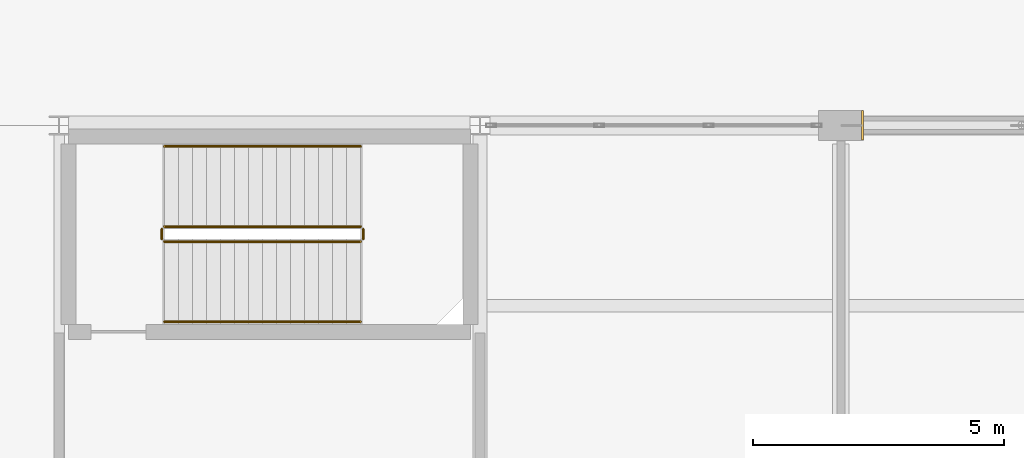
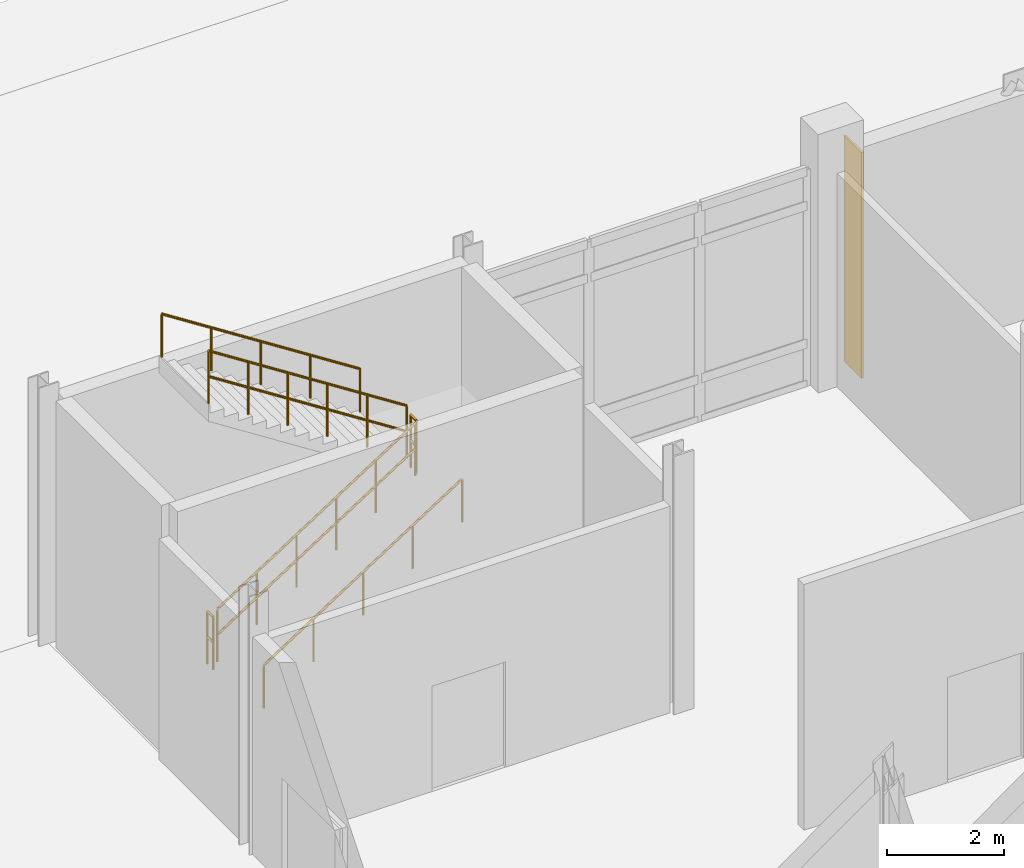
# One storey, part 222 of 229: 6 railings, 1 covering.
"""IFC4 building model written with IfcOpenShell, lengths in metres."""

from ifc_helpers import new_model, si_unit, direction, frame, origin, origin_2d, place, context, subcontext, project, spatial, polyline, circle, outline, extrude, material, layer, layer_set, type_object, element, save


model = new_model("IFC4")

# Units and contexts
model_context = context("Model", 3, precision=1e-05, world=origin(), true_north=direction((0.0, 1.0)))
body_context = subcontext(model_context, "Body", "Model", "MODEL_VIEW")
ifc_project = project(units=[si_unit("LENGTHUNIT", "METRE"), si_unit("AREAUNIT", "SQUARE_METRE"), si_unit("VOLUMEUNIT", "CUBIC_METRE"), si_unit("PLANEANGLEUNIT", "RADIAN"), si_unit("MASSUNIT", "GRAM", prefix="KILO")], contexts=[model_context])

# Site, building, storey
site_placement = place(None, origin())
site = spatial("IfcSite", under=ifc_project, at=site_placement, CompositionType="ELEMENT")
building_placement = place(site_placement, origin())
building = spatial("IfcBuilding", under=site, at=building_placement, Name="Calvrana Isthmian Art Gallery", CompositionType="ELEMENT")
storey_placement = place(building_placement, origin())
storey = spatial("IfcBuildingStorey", under=building, at=storey_placement, Name="L00", CompositionType="ELEMENT", Elevation=0.0)

# Covering
ifc_material_1 = material(Name="Polychrome glazed terracotta", Category="masonry")
ifc_layer = layer(ifc_material_1, 0.0400390625, Name="Polychrome glazed terracotta")
ifc_layer_set = layer_set([ifc_layer], Name="Polychrome glazed terracotta")
covering_type = type_object("IfcCoveringType", Name="COV-CLAD-TERRA", PredefinedType="CLADDING", material=ifc_layer_set)
covering_placement = place(storey_placement, origin())
element("IfcCovering", 1, at=covering_placement, inside=storey, type_object=covering_type, Name="Column pocket weather closure L00-15-13-W", PredefinedType="CLADDING", context=body_context, shape_type="SweptSolid", body=[
    extrude(outline(polyline([(120.409912109375, 98.10498046875), (120.449951171875, 98.10498046875), (120.449951171875, 98.695068359375), (120.409912109375, 98.695068359375), (120.409912109375, 98.10498046875)])), origin(), (0.0, 0.0, 1.0), 4.72412109375),
])

# Railings
ifc_material_2 = material(Name="Stainless steel 316", Category="steel")
railing_type_1 = type_object("IfcRailingType", Name="RL-GUARD-1120", PredefinedType="BALUSTRADE", material=ifc_material_2)
railing_1_placement = place(storey_placement, frame((106.5, 96.080078125, 0.179931640625)))
element("IfcRailing", 2, at=railing_1_placement, inside=storey, type_object=railing_type_1, Name="Stair ST-8 guard L00-1", PredefinedType="BALUSTRADE", context=body_context, shape_type="SweptSolid", body=[
    extrude(circle(Radius=0.02392578125, at=origin_2d()), frame((0.0, 0.0, 1.09619140625), z_axis=(0.841171666519, 0.0, 0.540768182723), x_axis=(0.0, 1.0, 0.0)), (0.0, 0.0, 1.0), 4.66015625),
    extrude(circle(Radius=0.02392578125, at=origin_2d()), frame((0.0, 0.0, 0.56005859375), z_axis=(0.841171666519, 0.0, 0.540768182723), x_axis=(0.0, 1.0, 0.0)), (0.0, 0.0, 1.0), 4.66015625),
    extrude(circle(Radius=0.02099609375, at=origin_2d()), origin(), (0.0, 0.0, 1.0), 1.072021484375),
    extrude(circle(Radius=0.02099609375, at=origin_2d()), frame((0.783935546875, 0.0, 0.50390625)), (0.0, 0.0, 1.0), 1.072021484375),
    extrude(circle(Radius=0.02099609375, at=origin_2d()), frame((1.56787109375, 0.0, 1.008056640625)), (0.0, 0.0, 1.0), 1.072021484375),
    extrude(circle(Radius=0.02099609375, at=origin_2d()), frame((2.35205078125, 0.0, 1.511962890625)), (0.0, 0.0, 1.0), 1.072021484375),
    extrude(circle(Radius=0.02099609375, at=origin_2d()), frame((3.135986328125, 0.0, 2.01611328125)), (0.0, 0.0, 1.0), 1.072021484375),
    extrude(circle(Radius=0.02099609375, at=origin_2d()), frame((3.919921875, 0.0, 2.52001953125)), (0.0, 0.0, 1.0), 1.072021484375),
])
railing_2_placement = place(storey_placement, frame((110.469970703125, 96.1298828125, 2.699951171875)))
element("IfcRailing", 3, at=railing_2_placement, inside=storey, type_object=railing_type_1, Name="Stair ST-8 guard L00-2", PredefinedType="BALUSTRADE", context=body_context, shape_type="SweptSolid", body=[
    extrude(circle(Radius=0.02392578125, at=origin_2d()), frame((0.0, 0.0, 1.09619140625), z_axis=(0.0, 1.0, 0.0), x_axis=(-1.0, 0.0, 0.0)), (0.0, 0.0, 1.0), 0.2001953125),
    extrude(circle(Radius=0.02392578125, at=origin_2d()), frame((0.0, 0.0, 0.56005859375), z_axis=(0.0, 1.0, 0.0), x_axis=(-1.0, 0.0, 0.0)), (0.0, 0.0, 1.0), 0.2001953125),
    extrude(circle(Radius=0.02099609375, at=origin_2d()), origin(), (0.0, 0.0, 1.0), 1.072021484375),
    extrude(circle(Radius=0.02099609375, at=origin_2d()), frame((0.0, 0.2001953125, 0.0)), (0.0, 0.0, 1.0), 1.072021484375),
])
railing_3_placement = place(storey_placement, frame((110.419921875, 96.3798828125, 2.8798828125)))
element("IfcRailing", 4, at=railing_3_placement, inside=storey, type_object=railing_type_1, Name="Stair ST-8 guard L00-3", PredefinedType="BALUSTRADE", context=body_context, shape_type="SweptSolid", body=[
    extrude(circle(Radius=0.02392578125, at=origin_2d()), frame((0.0, 0.0, 1.09619140625), z_axis=(-0.841171666519, 0.0, 0.540768182723), x_axis=(0.0, -1.0, 0.0)), (0.0, 0.0, 1.0), 4.66015625),
    extrude(circle(Radius=0.02392578125, at=origin_2d()), frame((0.0, 0.0, 0.56005859375), z_axis=(-0.841171666519, 0.0, 0.540768182723), x_axis=(0.0, -1.0, 0.0)), (0.0, 0.0, 1.0), 4.66015625),
    extrude(circle(Radius=0.02099609375, at=origin_2d()), origin(), (0.0, 0.0, 1.0), 1.072021484375),
    extrude(circle(Radius=0.02099609375, at=origin_2d()), frame((-0.783935546875, 0.0, 0.50390625)), (0.0, 0.0, 1.0), 1.072021484375),
    extrude(circle(Radius=0.02099609375, at=origin_2d()), frame((-1.56787109375, 0.0, 1.008056640625)), (0.0, 0.0, 1.0), 1.072021484375),
    extrude(circle(Radius=0.02099609375, at=origin_2d()), frame((-2.35205078125, 0.0, 1.511962890625)), (0.0, 0.0, 1.0), 1.072021484375),
    extrude(circle(Radius=0.02099609375, at=origin_2d()), frame((-3.135986328125, 0.0, 2.01611328125)), (0.0, 0.0, 1.0), 1.072021484375),
    extrude(circle(Radius=0.02099609375, at=origin_2d()), frame((-3.919921875, 0.0, 2.52001953125)), (0.0, 0.0, 1.0), 1.072021484375),
])
railing_4_placement = place(storey_placement, frame((106.449951171875, 96.1298828125, 0.0)))
element("IfcRailing", 5, at=railing_4_placement, inside=storey, type_object=railing_type_1, Name="Stair ST-8 guard L00-4", PredefinedType="BALUSTRADE", context=body_context, shape_type="SweptSolid", body=[
    extrude(circle(Radius=0.02392578125, at=origin_2d()), frame((0.0, 0.0, 1.09619140625), z_axis=(0.0, 1.0, 0.0), x_axis=(-1.0, 0.0, 0.0)), (0.0, 0.0, 1.0), 0.2001953125),
    extrude(circle(Radius=0.02392578125, at=origin_2d()), frame((0.0, 0.0, 0.56005859375), z_axis=(0.0, 1.0, 0.0), x_axis=(-1.0, 0.0, 0.0)), (0.0, 0.0, 1.0), 0.2001953125),
    extrude(circle(Radius=0.02099609375, at=origin_2d()), origin(), (0.0, 0.0, 1.0), 1.072021484375),
    extrude(circle(Radius=0.02099609375, at=origin_2d()), frame((0.0, 0.2001953125, 0.0)), (0.0, 0.0, 1.0), 1.072021484375),
])
railing_type_2 = type_object("IfcRailingType", Name="RL-HAND-920", PredefinedType="HANDRAIL", material=ifc_material_2)
railing_5_placement = place(storey_placement, frame((106.5, 94.47998046875, 0.179931640625)))
element("IfcRailing", 6, at=railing_5_placement, inside=storey, type_object=railing_type_2, Name="Stair ST-8 handrail L00-1", PredefinedType="HANDRAIL", context=body_context, shape_type="SweptSolid", body=[
    extrude(circle(Radius=0.02392578125, at=origin_2d()), frame((0.0, 0.0, 0.89599609375), z_axis=(0.841171666519, 0.0, 0.540768182723), x_axis=(0.0, 1.0, 0.0)), (0.0, 0.0, 1.0), 4.66015625),
    extrude(circle(Radius=0.02099609375, at=origin_2d()), origin(), (0.0, 0.0, 1.0), 0.871826171875),
    extrude(circle(Radius=0.02099609375, at=origin_2d()), frame((0.97998046875, 0.0, 0.6298828125)), (0.0, 0.0, 1.0), 0.871826171875),
    extrude(circle(Radius=0.02099609375, at=origin_2d()), frame((1.9599609375, 0.0, 1.260009765625)), (0.0, 0.0, 1.0), 0.871826171875),
    extrude(circle(Radius=0.02099609375, at=origin_2d()), frame((2.93994140625, 0.0, 1.89013671875)), (0.0, 0.0, 1.0), 0.871826171875),
    extrude(circle(Radius=0.02099609375, at=origin_2d()), frame((3.919921875, 0.0, 2.52001953125)), (0.0, 0.0, 1.0), 0.871826171875),
])
railing_6_placement = place(storey_placement, frame((110.419921875, 97.97998046875, 2.8798828125)))
element("IfcRailing", 7, at=railing_6_placement, inside=storey, type_object=railing_type_2, Name="Stair ST-8 handrail L00-2", PredefinedType="HANDRAIL", context=body_context, shape_type="SweptSolid", body=[
    extrude(circle(Radius=0.02392578125, at=origin_2d()), frame((0.0, 0.0, 0.89599609375), z_axis=(-0.841171666519, 0.0, 0.540768182723), x_axis=(0.0, -1.0, 0.0)), (0.0, 0.0, 1.0), 4.66015625),
    extrude(circle(Radius=0.02099609375, at=origin_2d()), origin(), (0.0, 0.0, 1.0), 0.871826171875),
    extrude(circle(Radius=0.02099609375, at=origin_2d()), frame((-0.97998046875, 0.0, 0.6298828125)), (0.0, 0.0, 1.0), 0.871826171875),
    extrude(circle(Radius=0.02099609375, at=origin_2d()), frame((-1.9599609375, 0.0, 1.260009765625)), (0.0, 0.0, 1.0), 0.871826171875),
    extrude(circle(Radius=0.02099609375, at=origin_2d()), frame((-2.93994140625, 0.0, 1.89013671875)), (0.0, 0.0, 1.0), 0.871826171875),
    extrude(circle(Radius=0.02099609375, at=origin_2d()), frame((-3.919921875, 0.0, 2.52001953125)), (0.0, 0.0, 1.0), 0.871826171875),
])

save(model, "model.ifc")
